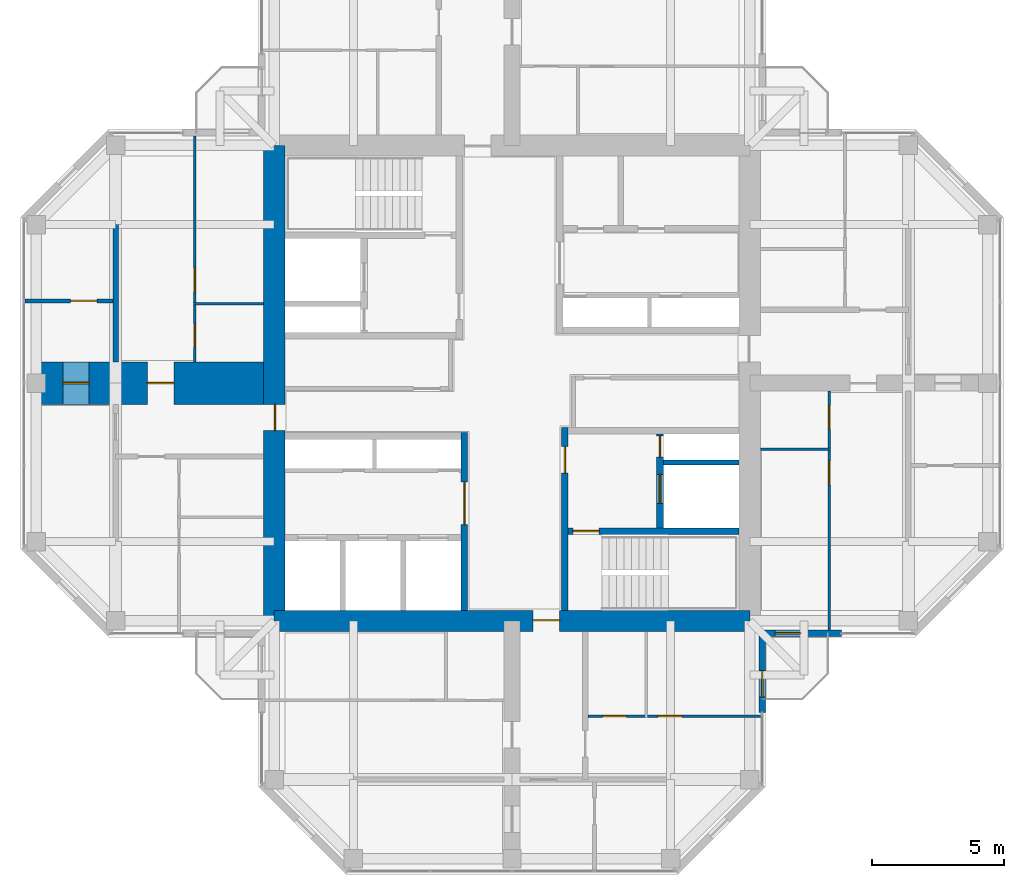
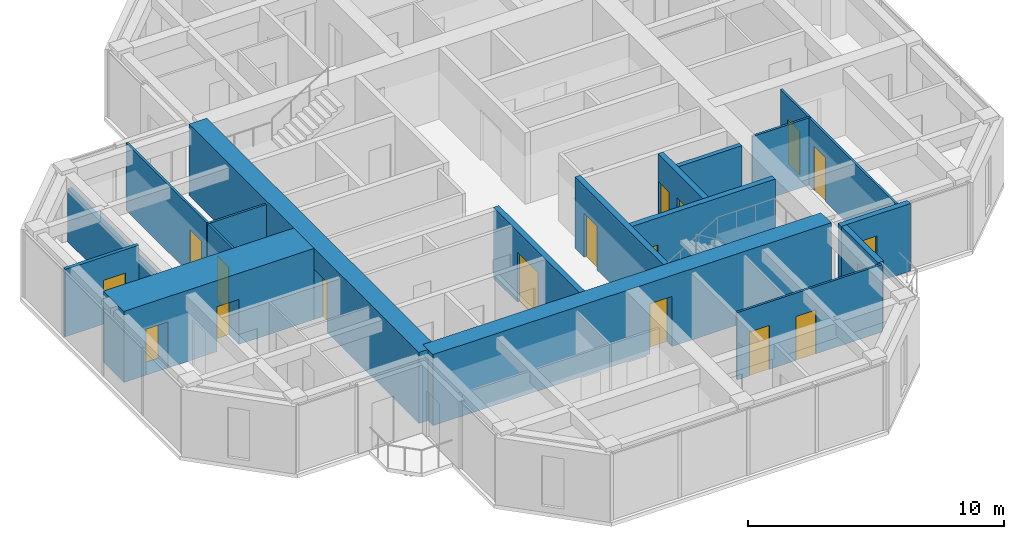
# One storey, part 9 of 13: 18 doors, 17 walls, 18 openings.
"""IFC4 building model written with IfcOpenShell, lengths in metres."""

from ifc_helpers import new_model, si_unit, direction, frame, frame_2d, origin, place, context, subcontext, project, spatial, rectangle, hollow_rectangle, extrude, material, layer, layer_set, constituent, constituent_set, type_object, element, fill, save


model = new_model("IFC4")

# Units and contexts
model_context = context("Model", 3, precision=1e-05, world=origin(), true_north=direction((0.0, 1.0)))
body_context = subcontext(model_context, "Body", "Model", "MODEL_VIEW")
ifc_project = project(units=[si_unit("LENGTHUNIT", "METRE"), si_unit("AREAUNIT", "SQUARE_METRE"), si_unit("VOLUMEUNIT", "CUBIC_METRE"), si_unit("PLANEANGLEUNIT", "RADIAN"), si_unit("MASSUNIT", "GRAM", prefix="KILO")], contexts=[model_context])

# Site, building, storey
site_placement = place(None, origin())
site = spatial("IfcSite", under=ifc_project, at=site_placement, CompositionType="ELEMENT")
building_placement = place(site_placement, origin())
building = spatial("IfcBuilding", under=site, at=building_placement, Name="Torre Cruceta", CompositionType="ELEMENT")
storey_placement = place(building_placement, frame((0.0, 0.0, 264.5)))
storey = spatial("IfcBuildingStorey", under=building, at=storey_placement, Name="L68", CompositionType="ELEMENT", Elevation=264.5)

# Wall
ifc_material_1 = material(Name="Water-resistant plasterboard on steel studs", Category="steel")
ifc_layer_1 = layer(ifc_material_1, 0.10009765625)
ifc_layer_set_1 = layer_set([ifc_layer_1], Name="Water-resistant plasterboard on steel studs")
wall_type_1 = type_object("IfcWallType", Name="BATHROOM WALL 100", PredefinedType="PARTITIONING", material=ifc_layer_set_1)
wall_1_placement = place(storey_placement, frame((9.39990234375, -2.5, 0.0), z_axis=(0.0, 0.0, 1.0), x_axis=(1.0, 0.0, 0.0)))
element("IfcWall", 1, at=wall_1_placement, inside=storey, type_object=wall_type_1, Name="PT4 L68-E-U1RBB", PredefinedType="PARTITIONING", context=body_context, shape_type="SweptSolid", body=[
    extrude(rectangle(XDim=2.650146484375, YDim=0.10009765625, at=frame_2d((1.3251953125, 0.0))), origin(), (0.0, 0.0, 1.0), 3.219970703125),
])

# Wall, openings, doors
wall_2_placement = place(storey_placement, frame((12.0, -9.344970703125, 0.0), z_axis=(0.0, 0.0, 1.0), x_axis=(0.0, 1.0, 0.0)))
wall_2 = element("IfcWall", 2, at=wall_2_placement, inside=storey, type_object=wall_type_1, Name="PT4 L68-E-U1RBS", PredefinedType="PARTITIONING", context=body_context, shape_type="SweptSolid", body=[
    extrude(rectangle(XDim=9.044921875, YDim=0.10009765625, at=frame_2d((4.5224609375, 0.0))), origin(), (0.0, 0.0, 1.0), 3.219970703125),
])
opening_1_placement = place(wall_2_placement, frame((5.4951171875, 0.0, 0.0)))
opening_1 = element("IfcOpeningElement", 3, at=opening_1_placement, cuts=wall_2, Name="Opening D7", PredefinedType="OPENING", context=body_context, shape_type="SweptSolid", body=[
    extrude(rectangle(XDim=0.89990234375, YDim=2.10009765625, at=frame_2d((0.449951171875, 1.050048828125))), frame((0.0, 0.06005859375, 0.0), z_axis=(0.0, -1.0, 0.0), x_axis=(1.0, 0.0, 0.0)), (0.0, 0.0, 1.0), 0.1201171875),
])
opening_2_placement = place(wall_2_placement, frame((7.594970703125, 0.0, 0.0)))
opening_2 = element("IfcOpeningElement", 4, at=opening_2_placement, cuts=wall_2, Name="Opening D7", PredefinedType="OPENING", context=body_context, shape_type="SweptSolid", body=[
    extrude(rectangle(XDim=0.89990234375, YDim=2.10009765625, at=frame_2d((0.449951171875, 1.050048828125))), frame((0.0, 0.06005859375, 0.0), z_axis=(0.0, -1.0, 0.0), x_axis=(1.0, 0.0, 0.0)), (0.0, 0.0, 1.0), 0.1201171875),
])
ifc_material_2 = material(Name="Timber door", Category="wood")
door_type_1 = type_object("IfcDoorType", Name="BATHROOM DOOR 900X2100", OperationType="SINGLE_SWING_LEFT", PredefinedType="DOOR", material=ifc_material_2)
door_1_placement = place(opening_1_placement, origin())
door_1 = element("IfcDoor", 5, at=door_1_placement, inside=storey, type_object=door_type_1, Name="D7 L68-E-U1RBS-D1", OperationType="SINGLE_SWING_RIGHT", OverallHeight=2.10009765625, OverallWidth=0.89990234375, PredefinedType="DOOR", context=body_context, shape_type="SweptSolid", body=[
    extrude(rectangle(XDim=0.89990234375, YDim=2.10009765625, at=frame_2d((0.449951171875, 1.050048828125))), frame((0.0, 0.02490234375, 0.0), z_axis=(0.0, -1.0, 0.0), x_axis=(1.0, 0.0, 0.0)), (0.0, 0.0, 1.0), 0.050048828125),
])
fill(opening_1, door_1)
door_2_placement = place(opening_2_placement, origin())
door_2 = element("IfcDoor", 6, at=door_2_placement, inside=storey, type_object=door_type_1, Name="D7 L68-E-U1RBS-D2", OperationType="SINGLE_SWING_RIGHT", OverallHeight=2.10009765625, OverallWidth=0.89990234375, PredefinedType="DOOR", context=body_context, shape_type="SweptSolid", body=[
    extrude(rectangle(XDim=0.89990234375, YDim=2.10009765625, at=frame_2d((0.449951171875, 1.050048828125))), frame((0.0, 0.02490234375, 0.0), z_axis=(0.0, -1.0, 0.0), x_axis=(1.0, 0.0, 0.0)), (0.0, 0.0, 1.0), 0.050048828125),
])
fill(opening_2, door_2)

wall_3_placement = place(storey_placement, frame((2.875, -12.60009765625, 0.0), z_axis=(0.0, 0.0, 1.0), x_axis=(1.0, 0.0, 0.0)))
wall_3 = element("IfcWall", 7, at=wall_3_placement, inside=storey, type_object=wall_type_1, Name="PT4 L68-S-U1LBS", PredefinedType="PARTITIONING", context=body_context, shape_type="SweptSolid", body=[
    extrude(rectangle(XDim=6.554931640625, YDim=0.10009765625, at=frame_2d((3.27734375, 0.0))), origin(), (0.0, 0.0, 1.0), 3.219970703125),
])
opening_3_placement = place(wall_3_placement, frame((0.550048828125, 0.0, 0.0)))
opening_3 = element("IfcOpeningElement", 8, at=opening_3_placement, cuts=wall_3, Name="Opening D7", PredefinedType="OPENING", context=body_context, shape_type="SweptSolid", body=[
    extrude(rectangle(XDim=0.89990234375, YDim=2.10009765625, at=frame_2d((0.449951171875, 1.050048828125))), frame((0.0, 0.06005859375, 0.0), z_axis=(0.0, -1.0, 0.0), x_axis=(1.0, 0.0, 0.0)), (0.0, 0.0, 1.0), 0.1201171875),
])
opening_4_placement = place(wall_3_placement, frame((2.64990234375, 0.0, 0.0)))
opening_4 = element("IfcOpeningElement", 9, at=opening_4_placement, cuts=wall_3, Name="Opening D7", PredefinedType="OPENING", context=body_context, shape_type="SweptSolid", body=[
    extrude(rectangle(XDim=0.89990234375, YDim=2.10009765625, at=frame_2d((0.449951171875, 1.050048828125))), frame((0.0, 0.06005859375, 0.0), z_axis=(0.0, -1.0, 0.0), x_axis=(1.0, 0.0, 0.0)), (0.0, 0.0, 1.0), 0.1201171875),
])
door_3_placement = place(opening_3_placement, origin())
door_3 = element("IfcDoor", 10, at=door_3_placement, inside=storey, type_object=door_type_1, Name="D7 L68-S-U1LBS-D1", OperationType="SINGLE_SWING_LEFT", OverallHeight=2.10009765625, OverallWidth=0.89990234375, PredefinedType="DOOR", context=body_context, shape_type="SweptSolid", body=[
    extrude(rectangle(XDim=0.89990234375, YDim=2.10009765625, at=frame_2d((0.449951171875, 1.050048828125))), frame((0.0, 0.02490234375, 0.0), z_axis=(0.0, -1.0, 0.0), x_axis=(1.0, 0.0, 0.0)), (0.0, 0.0, 1.0), 0.050048828125),
])
fill(opening_3, door_3)
door_4_placement = place(opening_4_placement, origin())
door_4 = element("IfcDoor", 11, at=door_4_placement, inside=storey, type_object=door_type_1, Name="D7 L68-S-U1LBS-D2", OperationType="SINGLE_SWING_LEFT", OverallHeight=2.10009765625, OverallWidth=0.89990234375, PredefinedType="DOOR", context=body_context, shape_type="SweptSolid", body=[
    extrude(rectangle(XDim=0.89990234375, YDim=2.10009765625, at=frame_2d((0.449951171875, 1.050048828125))), frame((0.0, 0.02490234375, 0.0), z_axis=(0.0, -1.0, 0.0), x_axis=(1.0, 0.0, 0.0)), (0.0, 0.0, 1.0), 0.050048828125),
])
fill(opening_4, door_4)

# Wall
wall_4_placement = place(storey_placement, frame((-9.39990234375, 3.0, 0.0), z_axis=(0.0, 0.0, 1.0), x_axis=(-1.0, 0.0, 0.0)))
element("IfcWall", 12, at=wall_4_placement, inside=storey, type_object=wall_type_1, Name="PT4 L68-W-U1RBB", PredefinedType="PARTITIONING", context=body_context, shape_type="SweptSolid", body=[
    extrude(rectangle(XDim=2.650146484375, YDim=0.10009765625, at=frame_2d((1.3251953125, 0.0))), origin(), (0.0, 0.0, 1.0), 3.219970703125),
])

# Wall, openings, doors
wall_5_placement = place(storey_placement, frame((-12.0, 9.344970703125, 0.0), z_axis=(0.0, 0.0, 1.0), x_axis=(0.0, -1.0, 0.0)))
wall_5 = element("IfcWall", 13, at=wall_5_placement, inside=storey, type_object=wall_type_1, Name="PT4 L68-W-U1RBS", PredefinedType="PARTITIONING", context=body_context, shape_type="SweptSolid", body=[
    extrude(rectangle(XDim=8.544921875, YDim=0.10009765625, at=frame_2d((4.2724609375, 0.0))), origin(), (0.0, 0.0, 1.0), 3.219970703125),
])
opening_5_placement = place(wall_5_placement, frame((4.9951171875, 0.0, 0.0)))
opening_5 = element("IfcOpeningElement", 14, at=opening_5_placement, cuts=wall_5, Name="Opening D7", PredefinedType="OPENING", context=body_context, shape_type="SweptSolid", body=[
    extrude(rectangle(XDim=0.89990234375, YDim=2.10009765625, at=frame_2d((0.449951171875, 1.050048828125))), frame((0.0, 0.06005859375, 0.0), z_axis=(0.0, -1.0, 0.0), x_axis=(1.0, 0.0, 0.0)), (0.0, 0.0, 1.0), 0.1201171875),
])
opening_6_placement = place(wall_5_placement, frame((7.094970703125, 0.0, 0.0)))
opening_6 = element("IfcOpeningElement", 15, at=opening_6_placement, cuts=wall_5, Name="Opening D7", PredefinedType="OPENING", context=body_context, shape_type="SweptSolid", body=[
    extrude(rectangle(XDim=0.89990234375, YDim=2.10009765625, at=frame_2d((0.449951171875, 1.050048828125))), frame((0.0, 0.06005859375, 0.0), z_axis=(0.0, -1.0, 0.0), x_axis=(1.0, 0.0, 0.0)), (0.0, 0.0, 1.0), 0.1201171875),
])
door_5_placement = place(opening_5_placement, origin())
door_5 = element("IfcDoor", 16, at=door_5_placement, inside=storey, type_object=door_type_1, Name="D7 L68-W-U1RBS-D1", OperationType="SINGLE_SWING_RIGHT", OverallHeight=2.10009765625, OverallWidth=0.89990234375, PredefinedType="DOOR", context=body_context, shape_type="SweptSolid", body=[
    extrude(rectangle(XDim=0.89990234375, YDim=2.10009765625, at=frame_2d((0.449951171875, 1.050048828125))), frame((0.0, 0.02490234375, 0.0), z_axis=(0.0, -1.0, 0.0), x_axis=(1.0, 0.0, 0.0)), (0.0, 0.0, 1.0), 0.050048828125),
])
fill(opening_5, door_5)
door_6_placement = place(opening_6_placement, origin())
door_6 = element("IfcDoor", 17, at=door_6_placement, inside=storey, type_object=door_type_1, Name="D7 L68-W-U1RBS-D2", OperationType="SINGLE_SWING_RIGHT", OverallHeight=2.10009765625, OverallWidth=0.89990234375, PredefinedType="DOOR", context=body_context, shape_type="SweptSolid", body=[
    extrude(rectangle(XDim=0.89990234375, YDim=2.10009765625, at=frame_2d((0.449951171875, 1.050048828125))), frame((0.0, 0.02490234375, 0.0), z_axis=(0.0, -1.0, 0.0), x_axis=(1.0, 0.0, 0.0)), (0.0, 0.0, 1.0), 0.050048828125),
])
fill(opening_6, door_6)

# Wall, opening, door
ifc_material_3 = material(Name="Concrete G60 (fck 60 MPa)", Category="concrete")
ifc_layer_2 = layer(ifc_material_3, 0.25)
ifc_layer_set_2 = layer_set([ifc_layer_2], Name="Concrete G60 (fck 60 MPa)")
wall_type_2 = type_object("IfcWallType", Name="CORE INNER WALL 250 G60", PredefinedType="SHEAR", material=ifc_layer_set_2)
wall_6_placement = place(storey_placement, frame((-1.800048828125, -1.875, 0.0), z_axis=(0.0, 0.0, 1.0), x_axis=(0.0, -1.0, 0.0)))
wall_6 = element("IfcWall", 18, at=wall_6_placement, inside=storey, type_object=wall_type_2, Name="CW4 L68 SW-CU", PredefinedType="SHEAR", context=body_context, shape_type="SweptSolid", body=[
    extrude(rectangle(XDim=6.72509765625, YDim=0.25, at=frame_2d((3.362548828125, 0.0))), origin(), (0.0, 0.0, 1.0), 3.39990234375),
])
opening_7_placement = place(wall_6_placement, frame((1.875, 0.0, 0.0)))
opening_7 = element("IfcOpeningElement", 19, at=opening_7_placement, cuts=wall_6, Name="Opening D8", PredefinedType="OPENING", context=body_context, shape_type="SweptSolid", body=[
    extrude(rectangle(XDim=1.60009765625, YDim=2.39990234375, at=frame_2d((0.800048828125, 1.199951171875))), frame((0.0, 0.135009765625, 0.0), z_axis=(0.0, -1.0, 0.0), x_axis=(1.0, 0.0, 0.0)), (0.0, 0.0, 1.0), 0.27001953125),
])
ifc_material_4 = material(Name="Steel DX51D", Category="steel")
ifc_constituent_1 = constituent(ifc_material_4, Name="Leaf and frame")
ifc_material_5 = material(Name="Polyester powder coating", Category="paint")
ifc_constituent_2 = constituent(ifc_material_5, Name="Finish")
ifc_material_6 = material(Name="Fire-resisting glass", Category="glass")
ifc_constituent_3 = constituent(ifc_material_6, Name="Vision panel")
ifc_constituent_set_1 = constituent_set(constituents=[ifc_constituent_1, ifc_constituent_2, ifc_constituent_3], Name="Steel fire door with vision panels")
door_type_2 = type_object("IfcDoorType", Name="LIFT LOBBY DOUBLE DOOR 1600X2400", OperationType="DOUBLE_DOOR_DOUBLE_SWING", PredefinedType="DOOR", material=ifc_constituent_set_1)
door_7_placement = place(opening_7_placement, origin())
door_7 = element("IfcDoor", 20, at=door_7_placement, inside=storey, type_object=door_type_2, Name="D8 L68 SW-LOBBY", OperationType="DOUBLE_DOOR_DOUBLE_SWING", OverallHeight=2.39990234375, OverallWidth=1.60009765625, PredefinedType="DOOR", context=body_context, shape_type="SweptSolid", body=[
    extrude(rectangle(XDim=1.60009765625, YDim=2.39990234375, at=frame_2d((0.800048828125, 1.199951171875))), frame((0.0, 0.02490234375, 0.0), z_axis=(0.0, -1.0, 0.0), x_axis=(1.0, 0.0, 0.0)), (0.0, 0.0, 1.0), 0.050048828125),
])
fill(opening_7, door_7)

wall_7_placement = place(storey_placement, frame((2.0, -1.675048828125, 0.0), z_axis=(0.0, 0.0, 1.0), x_axis=(0.0, -1.0, 0.0)))
wall_7 = element("IfcWall", 21, at=wall_7_placement, inside=storey, type_object=wall_type_2, Name="CW4 L68 SE-CU", PredefinedType="SHEAR", context=body_context, shape_type="SweptSolid", body=[
    extrude(rectangle(XDim=6.925048828125, YDim=0.25, at=frame_2d((3.46240234375, 0.0))), origin(), (0.0, 0.0, 1.0), 3.39990234375),
])
opening_8_placement = place(wall_7_placement, frame((0.72509765625, 0.0, 0.0)))
opening_8 = element("IfcOpeningElement", 22, at=opening_8_placement, cuts=wall_7, Name="Opening D3", PredefinedType="OPENING", context=body_context, shape_type="SweptSolid", body=[
    extrude(rectangle(XDim=1.0, YDim=2.10009765625, at=frame_2d((0.5, 1.050048828125))), frame((0.0, 0.135009765625, 0.0), z_axis=(0.0, -1.0, 0.0), x_axis=(1.0, 0.0, 0.0)), (0.0, 0.0, 1.0), 0.27001953125),
])
ifc_material_7 = material(Name="Steel DX51D", Category="steel")
ifc_constituent_4 = constituent(ifc_material_7, Name="Leaf and frame")
ifc_material_8 = material(Name="Polyester powder coating", Category="paint")
ifc_constituent_5 = constituent(ifc_material_8, Name="Finish")
ifc_constituent_set_2 = constituent_set(constituents=[ifc_constituent_4, ifc_constituent_5], Name="Steel fire door")
door_type_3 = type_object("IfcDoorType", Name="FIRE DOOR 1000X2100", OperationType="SINGLE_SWING_LEFT", PredefinedType="DOOR", material=ifc_constituent_set_2)
door_8_placement = place(opening_8_placement, origin())
door_8 = element("IfcDoor", 23, at=door_8_placement, inside=storey, type_object=door_type_3, Name="D3 L68 SE-LOBBY", OperationType="SINGLE_SWING_LEFT", OverallHeight=2.10009765625, OverallWidth=1.0, PredefinedType="DOOR", context=body_context, shape_type="SweptSolid", body=[
    extrude(rectangle(XDim=1.0, YDim=2.10009765625, at=frame_2d((0.5, 1.050048828125))), frame((0.0, 0.02490234375, 0.0), z_axis=(0.0, -1.0, 0.0), x_axis=(1.0, 0.0, 0.0)), (0.0, 0.0, 1.0), 0.050048828125),
])
fill(opening_8, door_8)

wall_8_placement = place(storey_placement, frame((2.125, -5.60009765625, 0.0), z_axis=(0.0, 0.0, 1.0), x_axis=(1.0, 0.0, 0.0)))
wall_8 = element("IfcWall", 24, at=wall_8_placement, inside=storey, type_object=wall_type_2, Name="CW4 L68 SE-SV", PredefinedType="SHEAR", context=body_context, shape_type="SweptSolid", body=[
    extrude(rectangle(XDim=6.47509765625, YDim=0.25, at=frame_2d((3.237548828125, 0.0))), origin(), (0.0, 0.0, 1.0), 3.39990234375),
])
opening_9_placement = place(wall_8_placement, frame((0.175048828125, 0.0, 0.0)))
opening_9 = element("IfcOpeningElement", 25, at=opening_9_placement, cuts=wall_8, Name="Opening D3", PredefinedType="OPENING", context=body_context, shape_type="SweptSolid", body=[
    extrude(rectangle(XDim=1.0, YDim=2.10009765625, at=frame_2d((0.5, 1.050048828125))), frame((0.0, 0.135009765625, 0.0), z_axis=(0.0, -1.0, 0.0), x_axis=(1.0, 0.0, 0.0)), (0.0, 0.0, 1.0), 0.27001953125),
])
door_9_placement = place(opening_9_placement, frame((1.0, 0.0, 0.0), z_axis=(0.0, 0.0, 1.0), x_axis=(-1.0, 0.0, 0.0)))
door_9 = element("IfcDoor", 26, at=door_9_placement, inside=storey, type_object=door_type_3, Name="D3 L68 SE-STAIR", OperationType="SINGLE_SWING_RIGHT", OverallHeight=2.10009765625, OverallWidth=1.0, PredefinedType="DOOR", context=body_context, shape_type="SweptSolid", body=[
    extrude(rectangle(XDim=1.0, YDim=2.10009765625, at=frame_2d((0.5, 1.050048828125))), frame((0.0, 0.025146484375, 0.0), z_axis=(0.0, -1.0, 0.0), x_axis=(1.0, 0.0, 0.0)), (0.0, 0.0, 1.0), 0.050048828125),
])
fill(opening_9, door_9)

# Wall, openings, doors
wall_9_placement = place(storey_placement, frame((5.60009765625, -1.925048828125, 0.0), z_axis=(0.0, 0.0, 1.0), x_axis=(0.0, -1.0, 0.0)))
wall_9 = element("IfcWall", 27, at=wall_9_placement, inside=storey, type_object=wall_type_2, Name="CW4 L68 SE-FU", PredefinedType="SHEAR", context=body_context, shape_type="SweptSolid", body=[
    extrude(rectangle(XDim=3.550048828125, YDim=0.25, at=frame_2d((1.77490234375, 0.0))), origin(), (0.0, 0.0, 1.0), 3.39990234375),
])
opening_10_placement = place(wall_9_placement, frame((1.52490234375, 0.0, 0.0)))
opening_10 = element("IfcOpeningElement", 28, at=opening_10_placement, cuts=wall_9, Name="Opening LD1", PredefinedType="OPENING", context=body_context, shape_type="SweptSolid", body=[
    extrude(rectangle(XDim=1.10009765625, YDim=2.199951171875, at=frame_2d((0.550048828125, 1.10009765625))), frame((0.0, 0.135009765625, 0.0), z_axis=(0.0, -1.0, 0.0), x_axis=(1.0, 0.0, 0.0)), (0.0, 0.0, 1.0), 0.27001953125),
])
opening_11_placement = place(wall_9_placement, frame((0.074951171875, 0.0, 0.0)))
opening_11 = element("IfcOpeningElement", 29, at=opening_11_placement, cuts=wall_9, Name="Opening D5", PredefinedType="OPENING", context=body_context, shape_type="SweptSolid", body=[
    extrude(rectangle(XDim=0.800048828125, YDim=2.10009765625, at=frame_2d((0.39990234375, 1.050048828125))), frame((0.0, 0.135009765625, 0.0), z_axis=(0.0, -1.0, 0.0), x_axis=(1.0, 0.0, 0.0)), (0.0, 0.0, 1.0), 0.27001953125),
])
ifc_material_9 = material(Name="Stainless steel 1.4401", Category="steel")
door_type_4 = type_object("IfcDoorType", Name="LIFT LANDING DOOR 1100X2200", OperationType="DOUBLE_DOOR_SLIDING", PredefinedType="DOOR", material=ifc_material_9)
door_10_placement = place(opening_10_placement, origin())
door_10 = element("IfcDoor", 30, at=door_10_placement, inside=storey, type_object=door_type_4, Name="Lift landing door FL2", OperationType="DOUBLE_DOOR_SLIDING", OverallHeight=2.199951171875, OverallWidth=1.10009765625, PredefinedType="DOOR", context=body_context, shape_type="SweptSolid", body=[
    extrude(rectangle(XDim=1.10009765625, YDim=2.199951171875, at=frame_2d((0.550048828125, 1.10009765625))), frame((0.0, 0.02490234375, 0.0), z_axis=(0.0, -1.0, 0.0), x_axis=(1.0, 0.0, 0.0)), (0.0, 0.0, 1.0), 0.050048828125),
])
fill(opening_10, door_10)
ifc_material_10 = material(Name="Steel DX51D", Category="steel")
ifc_constituent_6 = constituent(ifc_material_10, Name="Leaf and frame")
ifc_material_11 = material(Name="Polyester powder coating", Category="paint")
ifc_constituent_7 = constituent(ifc_material_11, Name="Finish")
ifc_constituent_set_3 = constituent_set(constituents=[ifc_constituent_6, ifc_constituent_7], Name="Steel fire door")
door_type_5 = type_object("IfcDoorType", Name="RISER ACCESS DOOR 800X2100", OperationType="SINGLE_SWING_LEFT", PredefinedType="DOOR", material=ifc_constituent_set_3)
door_11_placement = place(opening_11_placement, origin())
door_11 = element("IfcDoor", 31, at=door_11_placement, inside=storey, type_object=door_type_5, Name="D5 L68 SE-RISER", OperationType="SINGLE_SWING_LEFT", OverallHeight=2.10009765625, OverallWidth=0.800048828125, PredefinedType="DOOR", context=body_context, shape_type="SweptSolid", body=[
    extrude(rectangle(XDim=0.800048828125, YDim=2.10009765625, at=frame_2d((0.39990234375, 1.050048828125))), frame((0.0, 0.02490234375, 0.0), z_axis=(0.0, -1.0, 0.0), x_axis=(1.0, 0.0, 0.0)), (0.0, 0.0, 1.0), 0.050048828125),
])
fill(opening_11, door_11)

# Wall, opening, door
ifc_material_12 = material(Name="Concrete G60 (fck 60 MPa)", Category="concrete")
ifc_layer_3 = layer(ifc_material_12, 0.800048828125)
ifc_layer_set_3 = layer_set([ifc_layer_3], Name="Concrete G60 (fck 60 MPa)")
wall_type_3 = type_object("IfcWallType", Name="CORE WALL 800 G60", PredefinedType="SHEAR", material=ifc_layer_set_3)
wall_10_placement = place(storey_placement, frame((-9.0, -9.0, 0.0), z_axis=(0.0, 0.0, 1.0), x_axis=(1.0, 0.0, 0.0)))
wall_10 = element("IfcWall", 32, at=wall_10_placement, inside=storey, type_object=wall_type_3, Name="CW3 L68 CW-S", PredefinedType="SHEAR", context=body_context, shape_type="SweptSolid", body=[
    extrude(rectangle(XDim=18.0, YDim=0.800048828125, at=frame_2d((9.0, 0.0))), origin(), (0.0, 0.0, 1.0), 3.39990234375),
])
opening_12_placement = place(wall_10_placement, frame((9.800048828125, 0.0, 0.0)))
opening_12 = element("IfcOpeningElement", 33, at=opening_12_placement, cuts=wall_10, Name="Opening D4", PredefinedType="OPENING", context=body_context, shape_type="SweptSolid", body=[
    extrude(rectangle(XDim=1.0, YDim=2.39990234375, at=frame_2d((0.5, 1.199951171875))), frame((0.0, 0.409912109375, 0.0), z_axis=(0.0, -1.0, 0.0), x_axis=(1.0, 0.0, 0.0)), (0.0, 0.0, 1.0), 0.820068359375),
])
ifc_material_13 = material(Name="Steel DX51D", Category="steel")
ifc_constituent_8 = constituent(ifc_material_13, Name="Leaf and frame")
ifc_material_14 = material(Name="Polyester powder coating", Category="paint")
ifc_constituent_9 = constituent(ifc_material_14, Name="Finish")
ifc_constituent_set_4 = constituent_set(constituents=[ifc_constituent_8, ifc_constituent_9], Name="Steel fire door")
door_type_6 = type_object("IfcDoorType", Name="CORE ARM DOOR 1000X2400", OperationType="SINGLE_SWING_RIGHT", PredefinedType="DOOR", material=ifc_constituent_set_4)
door_12_placement = place(opening_12_placement, origin())
door_12 = element("IfcDoor", 34, at=door_12_placement, inside=storey, type_object=door_type_6, Name="D4 L68 CW-S", OperationType="SINGLE_SWING_RIGHT", OverallHeight=2.39990234375, OverallWidth=1.0, PredefinedType="DOOR", context=body_context, shape_type="SweptSolid", body=[
    extrude(rectangle(XDim=1.0, YDim=2.39990234375, at=frame_2d((0.5, 1.199951171875))), frame((0.0, 0.05517578125, 0.0), z_axis=(0.0, -1.0, 0.0), x_axis=(1.0, 0.0, 0.0)), (0.0, 0.0, 1.0), 0.050048828125),
])
fill(opening_12, door_12)

wall_11_placement = place(storey_placement, frame((-9.0, 9.0, 0.0), z_axis=(0.0, 0.0, 1.0), x_axis=(0.0, -1.0, 0.0)))
wall_11 = element("IfcWall", 35, at=wall_11_placement, inside=storey, type_object=wall_type_3, Name="CW3 L68 CW-W", PredefinedType="SHEAR", context=body_context, shape_type="SweptSolid", body=[
    extrude(rectangle(XDim=18.0, YDim=0.800048828125, at=frame_2d((9.0, 0.0))), origin(), (0.0, 0.0, 1.0), 3.39990234375),
])
opening_13_placement = place(wall_11_placement, frame((9.800048828125, 0.0, 0.0)))
opening_13 = element("IfcOpeningElement", 36, at=opening_13_placement, cuts=wall_11, Name="Opening D4", PredefinedType="OPENING", context=body_context, shape_type="SweptSolid", body=[
    extrude(rectangle(XDim=1.0, YDim=2.39990234375, at=frame_2d((0.5, 1.199951171875))), frame((0.0, 0.409912109375, 0.0), z_axis=(0.0, -1.0, 0.0), x_axis=(1.0, 0.0, 0.0)), (0.0, 0.0, 1.0), 0.820068359375),
])
door_13_placement = place(opening_13_placement, origin())
door_13 = element("IfcDoor", 37, at=door_13_placement, inside=storey, type_object=door_type_6, Name="D4 L68 CW-W", OperationType="SINGLE_SWING_RIGHT", OverallHeight=2.39990234375, OverallWidth=1.0, PredefinedType="DOOR", context=body_context, shape_type="SweptSolid", body=[
    extrude(rectangle(XDim=1.0, YDim=2.39990234375, at=frame_2d((0.5, 1.199951171875))), frame((0.0, 0.05517578125, 0.0), z_axis=(0.0, -1.0, 0.0), x_axis=(1.0, 0.0, 0.0)), (0.0, 0.0, 1.0), 0.050048828125),
])
fill(opening_13, door_13)

# Wall
ifc_material_15 = material(Name="Concrete G35 (fck 35 MPa)", Category="concrete")
ifc_layer_4 = layer(ifc_material_15, 0.199951171875)
ifc_layer_set_4 = layer_set([ifc_layer_4], Name="Concrete G35 (fck 35 MPa)")
wall_type_4 = type_object("IfcWallType", Name="LIFT SHAFT WALL 200", PredefinedType="PARTITIONING", material=ifc_layer_set_4)
wall_12_placement = place(storey_placement, frame((5.72509765625, -3.0, 0.0), z_axis=(0.0, 0.0, 1.0), x_axis=(1.0, 0.0, 0.0)))
element("IfcWall", 38, at=wall_12_placement, inside=storey, type_object=wall_type_4, Name="SW1 L68 SE-FR", PredefinedType="PARTITIONING", context=body_context, shape_type="SweptSolid", body=[
    extrude(rectangle(XDim=2.875, YDim=0.199951171875, at=frame_2d((1.4375, 0.0))), origin(), (0.0, 0.0, 1.0), 3.39990234375),
])

# Wall, opening, door
ifc_material_16 = material(Name="Plasterboard on steel studs", Category="steel")
ifc_layer_5 = layer(ifc_material_16, 0.14990234375)
ifc_layer_set_5 = layer_set([ifc_layer_5], Name="Plasterboard on steel studs")
wall_type_5 = type_object("IfcWallType", Name="PARTITION 150", PredefinedType="PARTITIONING", material=ifc_layer_set_5)
wall_13_placement = place(storey_placement, frame((-15.10009765625, 3.117919921875, 0.0), z_axis=(0.0, 0.0, 1.0), x_axis=(-1.0, 0.0, 0.0)))
wall_13 = element("IfcWall", 39, at=wall_13_placement, inside=storey, type_object=wall_type_5, Name="PT1 L68-W-END2X", PredefinedType="PARTITIONING", context=body_context, shape_type="SweptSolid", body=[
    extrude(rectangle(XDim=3.329833984375, YDim=0.14990234375, at=frame_2d((1.6650390625, 0.0))), origin(), (0.0, 0.0, 1.0), 3.219970703125),
])
opening_14_placement = place(wall_13_placement, frame((0.60009765625, 0.0, 0.0)))
opening_14 = element("IfcOpeningElement", 40, at=opening_14_placement, cuts=wall_13, Name="Opening D3", PredefinedType="OPENING", context=body_context, shape_type="SweptSolid", body=[
    extrude(rectangle(XDim=1.0, YDim=2.10009765625, at=frame_2d((0.5, 1.050048828125))), frame((0.0, 0.0849609375, 0.0), z_axis=(0.0, -1.0, 0.0), x_axis=(1.0, 0.0, 0.0)), (0.0, 0.0, 1.0), 0.169921875),
])
door_14_placement = place(opening_14_placement, origin())
door_14 = element("IfcDoor", 41, at=door_14_placement, inside=storey, type_object=door_type_3, Name="D3 L68-W-END2X-D1", OperationType="SINGLE_SWING_LEFT", OverallHeight=2.10009765625, OverallWidth=1.0, PredefinedType="DOOR", context=body_context, shape_type="SweptSolid", body=[
    extrude(rectangle(XDim=1.0, YDim=2.10009765625, at=frame_2d((0.5, 1.050048828125))), frame((0.0, 0.02490234375, 0.0), z_axis=(0.0, -1.0, 0.0), x_axis=(1.0, 0.0, 0.0)), (0.0, 0.0, 1.0), 0.050048828125),
])
fill(opening_14, door_14)

# Wall, openings, doors
ifc_material_17 = material(Name="Concrete G60 (fck 60 MPa)", Category="concrete")
ifc_layer_6 = layer(ifc_material_17, 1.60009765625)
ifc_layer_set_6 = layer_set([ifc_layer_6], Name="Concrete G60 (fck 60 MPa)")
wall_type_6 = type_object("IfcWallType", Name="SPINE WALL 1600 G60", PredefinedType="SHEAR", material=ifc_layer_set_6)
wall_14_placement = place(storey_placement, frame((-9.0, 0.0, 0.0), z_axis=(0.0, 0.0, 1.0), x_axis=(-1.0, 0.0, 0.0)))
wall_14 = element("IfcWall", 42, at=wall_14_placement, inside=storey, type_object=wall_type_6, Name="SW2 spine wall L68 W", PredefinedType="SHEAR", context=body_context, shape_type="SweptSolid", body=[
    extrude(rectangle(XDim=9.0, YDim=1.60009765625, at=frame_2d((4.5, 0.0))), origin(), (0.0, 0.0, 1.0), 3.39990234375),
])
opening_15_placement = place(wall_14_placement, frame((3.800048828125, 0.0, 0.0)))
opening_15 = element("IfcOpeningElement", 43, at=opening_15_placement, cuts=wall_14, Name="Opening D6", PredefinedType="OPENING", context=body_context, shape_type="SweptSolid", body=[
    extrude(rectangle(XDim=1.0, YDim=2.14990234375, at=frame_2d((0.5, 1.074951171875))), frame((0.0, 0.81005859375, 0.0), z_axis=(0.0, -1.0, 0.0), x_axis=(1.0, 0.0, 0.0)), (0.0, 0.0, 1.0), 1.6201171875),
])
opening_16_placement = place(wall_14_placement, frame((7.0, 0.0, 0.0)))
opening_16 = element("IfcOpeningElement", 44, at=opening_16_placement, cuts=wall_14, Name="Opening D14", PredefinedType="OPENING", context=body_context, shape_type="SweptSolid", body=[
    extrude(rectangle(XDim=1.0, YDim=2.199951171875, at=frame_2d((0.5, 1.10009765625))), frame((0.0, 0.81005859375, 0.0), z_axis=(0.0, -1.0, 0.0), x_axis=(1.0, 0.0, 0.0)), (0.0, 0.0, 1.0), 1.6201171875),
])
ifc_material_18 = material(Name="Steel DX51D", Category="steel")
ifc_constituent_10 = constituent(ifc_material_18, Name="Leaf and frame")
ifc_material_19 = material(Name="Polyester powder coating", Category="paint")
ifc_constituent_11 = constituent(ifc_material_19, Name="Finish")
ifc_material_20 = material(Name="Fire-resisting glass", Category="glass")
ifc_constituent_12 = constituent(ifc_material_20, Name="Vision panel")
ifc_constituent_set_5 = constituent_set(constituents=[ifc_constituent_10, ifc_constituent_11, ifc_constituent_12], Name="Steel fire door with vision panel")
door_type_7 = type_object("IfcDoorType", Name="FIRE DOOR VISION PANEL 1000X2200", OperationType="SINGLE_SWING_RIGHT", PredefinedType="DOOR", material=ifc_constituent_set_5)
door_15_placement = place(opening_16_placement, frame((1.0, 0.0, 0.0), z_axis=(0.0, 0.0, 1.0), x_axis=(-1.0, 0.0, 0.0)))
door_15 = element("IfcDoor", 45, at=door_15_placement, inside=storey, type_object=door_type_7, Name="D14 L68-W-SP2", OperationType="SINGLE_SWING_RIGHT", OverallHeight=2.199951171875, OverallWidth=1.0, PredefinedType="DOOR", context=body_context, shape_type="SweptSolid", body=[
    extrude(rectangle(XDim=1.0, YDim=2.199951171875, at=frame_2d((0.5, 1.10009765625))), frame((0.0, 0.025146484375, 0.0), z_axis=(0.0, -1.0, 0.0), x_axis=(1.0, 0.0, 0.0)), (0.0, 0.0, 1.0), 0.050048828125),
])
fill(opening_16, door_15)
ifc_material_21 = material(Name="Timber fire door", Category="wood")
door_type_8 = type_object("IfcDoorType", Name="UNIT ENTRANCE DOOR 1000X2150", OperationType="SINGLE_SWING_LEFT", PredefinedType="DOOR", material=ifc_material_21)
door_16_placement = place(opening_15_placement, frame((1.0, 0.0, 0.0), z_axis=(0.0, 0.0, 1.0), x_axis=(-1.0, 0.0, 0.0)))
door_16 = element("IfcDoor", 46, at=door_16_placement, inside=storey, type_object=door_type_8, Name="D6 L68-W-SP1", OperationType="SINGLE_SWING_RIGHT", OverallHeight=2.14990234375, OverallWidth=1.0, PredefinedType="DOOR", context=body_context, shape_type="SweptSolid", body=[
    extrude(rectangle(XDim=1.0, YDim=2.14990234375, at=frame_2d((0.5, 1.074951171875))), frame((0.0, 0.025146484375, 0.0), z_axis=(0.0, -1.0, 0.0), x_axis=(1.0, 0.0, 0.0)), (0.0, 0.0, 1.0), 0.050048828125),
])
fill(opening_15, door_16)

# Wall
ifc_material_22 = material(Name="Concrete G25 (fck 25 MPa)", Category="concrete")
ifc_layer_7 = layer(ifc_material_22, 0.199951171875)
ifc_layer_set_7 = layer_set([ifc_layer_7], Name="Concrete G25 (fck 25 MPa)")
wall_type_7 = type_object("IfcWallType", Name="UNIT SEPARATING WALL 200", PredefinedType="SOLIDWALL", material=ifc_layer_set_7)
wall_15_placement = place(storey_placement, frame((-15.0, 8.64990234375, 0.0), z_axis=(0.0, 0.0, 1.0), x_axis=(0.0, -1.0, 0.0)))
element("IfcWall", 47, at=wall_15_placement, inside=storey, type_object=wall_type_7, Name="PT2 L68-W-ENDa", PredefinedType="SOLIDWALL", context=body_context, shape_type="SweptSolid", body=[
    extrude(rectangle(XDim=7.849853515625, YDim=0.199951171875, at=frame_2d((3.9248046875, 0.0))), origin(), (0.0, 0.0, 1.0), 2.52001953125),
])

# Wall, opening, door
ifc_material_23 = material(Name="Concrete G30 (fck 30 MPa)", Category="concrete")
ifc_layer_8 = layer(ifc_material_23, 0.25)
ifc_layer_set_8 = layer_set([ifc_layer_8], Name="Concrete G30 (fck 30 MPa)")
wall_type_8 = type_object("IfcWallType", Name="WINTER GARDEN WALL 250", PredefinedType="SOLIDWALL", material=ifc_layer_set_8)
wall_16_placement = place(storey_placement, frame((9.344970703125, -9.469970703125, 0.0), z_axis=(0.0, 0.0, 1.0), x_axis=(1.0, 0.0, 0.0)))
wall_16 = element("IfcWall", 48, at=wall_16_placement, inside=storey, type_object=wall_type_8, Name="EW2 winter garden wall L68 00", PredefinedType="SOLIDWALL", context=body_context, shape_type="SweptSolid", body=[
    extrude(rectangle(XDim=3.125, YDim=0.25, at=frame_2d((1.5625, 0.0))), origin(), (0.0, 0.0, 1.0), 3.219970703125),
])
opening_17_placement = place(wall_16_placement, frame((0.60009765625, 0.0, 0.0)))
opening_17 = element("IfcOpeningElement", 49, at=opening_17_placement, cuts=wall_16, Name="Opening D10", PredefinedType="OPENING", context=body_context, shape_type="SweptSolid", body=[
    extrude(rectangle(XDim=1.0, YDim=2.199951171875, at=frame_2d((0.5, 1.10009765625))), frame((0.0, 0.135009765625, 0.0), z_axis=(0.0, -1.0, 0.0), x_axis=(1.0, 0.0, 0.0)), (0.0, 0.0, 1.0), 0.27001953125),
])
ifc_material_24 = material(Name="Aluminium door frame", Category="aluminium")
ifc_constituent_13 = constituent(ifc_material_24, Name="Frame")
ifc_material_25 = material(Name="Laminated safety glass", Category="glass")
ifc_constituent_14 = constituent(ifc_material_25, Name="Glazing")
ifc_constituent_set_6 = constituent_set(constituents=[ifc_constituent_13, ifc_constituent_14], Name="Aluminium glazed door")
door_type_9 = type_object("IfcDoorType", Name="BALCONY DOOR 1000X2200", OperationType="SINGLE_SWING_RIGHT", PredefinedType="DOOR", material=ifc_constituent_set_6)
door_17_placement = place(opening_17_placement, origin())
door_17 = element("IfcDoor", 50, at=door_17_placement, inside=storey, type_object=door_type_9, Name="D10 balcony door L68 00", OperationType="SINGLE_SWING_LEFT", OverallHeight=2.199951171875, OverallWidth=1.0, PredefinedType="DOOR", context=body_context, shape_type="SweptSolid", body=[
    extrude(hollow_rectangle(XDim=1.0, YDim=2.199951171875, WallThickness=0.06005859375, at=frame_2d((0.5, 1.10009765625))), frame((0.0, 0.02490234375, 0.0), z_axis=(0.0, -1.0, 0.0), x_axis=(1.0, 0.0, 0.0)), (0.0, 0.0, 1.0), 0.050048828125),
    extrude(rectangle(XDim=0.87890625, YDim=2.078857421875, at=frame_2d((0.5, 1.10009765625))), frame((0.0, 0.02490234375, 0.0), z_axis=(0.0, -1.0, 0.0), x_axis=(1.0, 0.0, 0.0)), (0.0, 0.0, 1.0), 0.050048828125),
])
fill(opening_17, door_17)

wall_17_placement = place(storey_placement, frame((9.469970703125, -12.469970703125, 0.0), z_axis=(0.0, 0.0, 1.0), x_axis=(0.0, 1.0, 0.0)))
wall_17 = element("IfcWall", 51, at=wall_17_placement, inside=storey, type_object=wall_type_8, Name="EW2 winter garden wall L68 19", PredefinedType="SOLIDWALL", context=body_context, shape_type="SweptSolid", body=[
    extrude(rectangle(XDim=2.875, YDim=0.25, at=frame_2d((1.4375, 0.0))), origin(), (0.0, 0.0, 1.0), 3.219970703125),
])
opening_18_placement = place(wall_17_placement, frame((0.60009765625, 0.0, 0.0)))
opening_18 = element("IfcOpeningElement", 52, at=opening_18_placement, cuts=wall_17, Name="Opening D10", PredefinedType="OPENING", context=body_context, shape_type="SweptSolid", body=[
    extrude(rectangle(XDim=1.0, YDim=2.199951171875, at=frame_2d((0.5, 1.10009765625))), frame((0.0, 0.135009765625, 0.0), z_axis=(0.0, -1.0, 0.0), x_axis=(1.0, 0.0, 0.0)), (0.0, 0.0, 1.0), 0.27001953125),
])
door_18_placement = place(opening_18_placement, origin())
door_18 = element("IfcDoor", 53, at=door_18_placement, inside=storey, type_object=door_type_9, Name="D10 balcony door L68 19", OperationType="SINGLE_SWING_LEFT", OverallHeight=2.199951171875, OverallWidth=1.0, PredefinedType="DOOR", context=body_context, shape_type="SweptSolid", body=[
    extrude(hollow_rectangle(XDim=1.0, YDim=2.199951171875, WallThickness=0.06005859375, at=frame_2d((0.5, 1.10009765625))), frame((0.0, 0.02490234375, 0.0), z_axis=(0.0, -1.0, 0.0), x_axis=(1.0, 0.0, 0.0)), (0.0, 0.0, 1.0), 0.050048828125),
    extrude(rectangle(XDim=0.87890625, YDim=2.078857421875, at=frame_2d((0.5, 1.10009765625))), frame((0.0, 0.02490234375, 0.0), z_axis=(0.0, -1.0, 0.0), x_axis=(1.0, 0.0, 0.0)), (0.0, 0.0, 1.0), 0.050048828125),
])
fill(opening_18, door_18)

save(model, "model.ifc")
